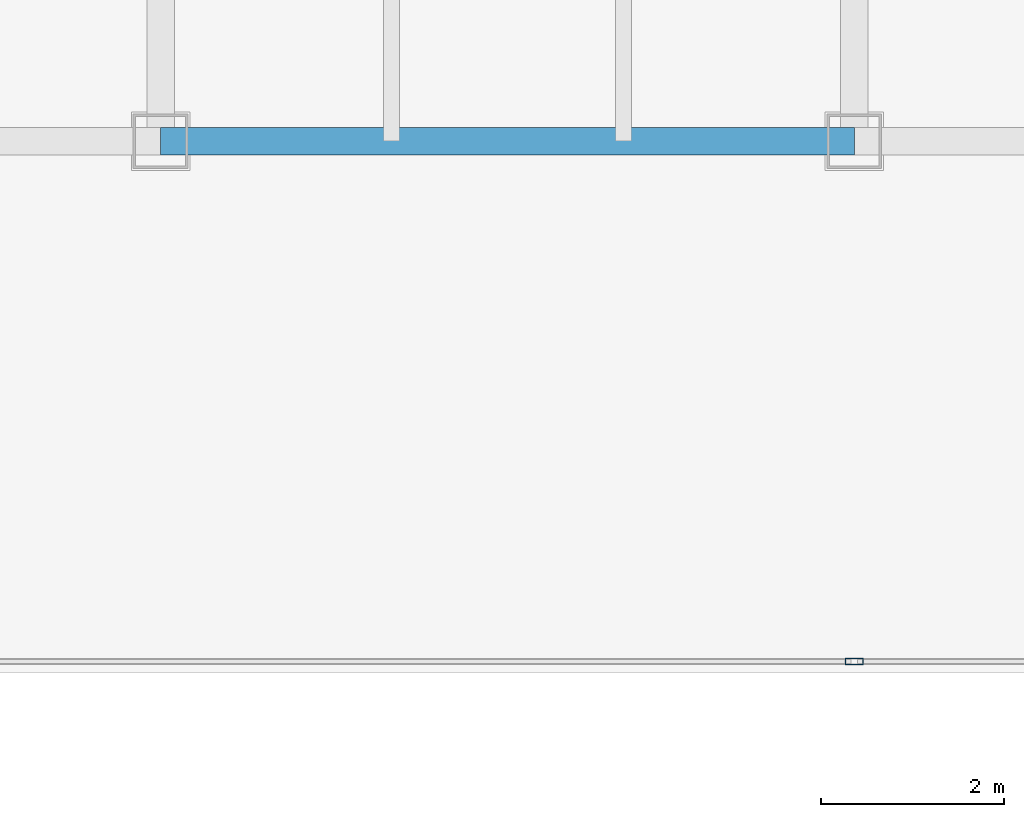
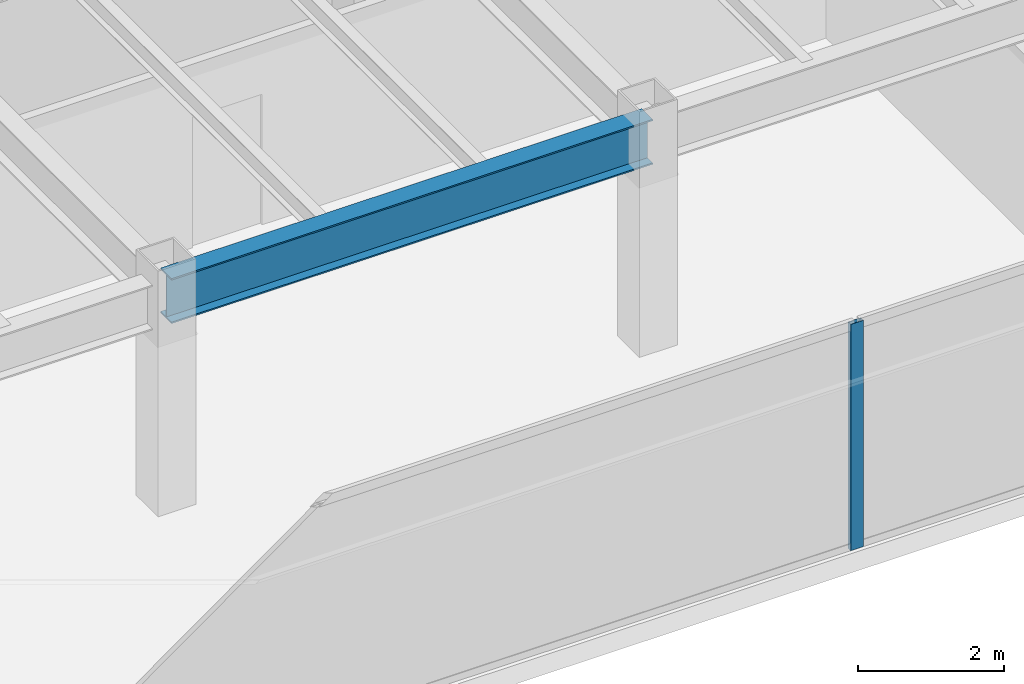
# One storey, part 8 of 36: 1 beam, 1 member, 1 element without a shape of its own.
"""IFC4 building model written with IfcOpenShell, lengths in metres."""

import ifcopenshell
import ifcopenshell.guid

model = None  # the IFC model being written
_history = None  # IfcOwnerHistory: only IFC2X3 demands one
_inside = {}  # id of a spatial element -> (the spatial element, [elements in it])
_under = {}  # id of a project, library or spatial element -> (it, [spatial elements below it])
_declared = {}  # id of a project -> (the project, [libraries it declares])
_typed = {}  # id of a type object -> (the type object, [elements of that type])
_made_of = {}  # id of a material, layer set ... -> (it, [elements and type objects made of it])


def new_model(schema):
    """Start an empty IFC model of exactly this schema.

    Asked for "IFC4X3", IfcOpenShell would pick the latest addendum, in which some entities
    have other attributes; the version numbers below select the first issue.
    IFC2X3 requires an IfcOwnerHistory on every rooted entity: one is made here for all.
    """
    global model, _history
    if schema == "IFC4X3":
        model = ifcopenshell.file(schema_version=(4, 3, 0, 0))
    else:
        model = ifcopenshell.file(schema=schema)
    _inside.clear()
    _under.clear()
    _declared.clear()
    _typed.clear()
    _made_of.clear()
    _history = None
    if model.schema == "IFC2X3":
        org = make("IfcOrganization", Name="unknown")
        user = make(
            "IfcPersonAndOrganization",
            ThePerson=make("IfcPerson", FamilyName="unknown"),
            TheOrganization=org,
        )
        app = make(
            "IfcApplication",
            ApplicationDeveloper=org,
            Version="unknown",
            ApplicationFullName="unknown",
            ApplicationIdentifier="unknown",
        )
        _history = make(
            "IfcOwnerHistory",
            OwningUser=user,
            OwningApplication=app,
            ChangeAction="ADDED",
            CreationDate=0,
        )
    return model


def make(cls, **values):
    """One entity of the class cls with the attributes given. An attribute that is None is left unset."""
    return model.create_entity(
        cls, **{name: value for name, value in values.items() if value is not None}
    )


def rooted(cls, **values):
    """An entity with a GlobalId (a new one), such as an element, a storey or a relation."""
    return make(cls, GlobalId=ifcopenshell.guid.new(), OwnerHistory=_history, **values)


def si_unit(unit_type, name, prefix=None):
    """IfcSIUnit, for example si_unit("LENGTHUNIT", "METRE", prefix="MILLI")."""
    return make("IfcSIUnit", UnitType=unit_type, Prefix=prefix, Name=name)


def assignment(units):
    """IfcUnitAssignment: the units of a project."""
    return None if units is None else make("IfcUnitAssignment", Units=units)


def point(xyz):
    """IfcCartesianPoint."""
    return None if xyz is None else make("IfcCartesianPoint", Coordinates=xyz)


def direction(xyz):
    """IfcDirection."""
    return None if xyz is None else make("IfcDirection", DirectionRatios=xyz)


def frame(location, z_axis=None, x_axis=None):
    """IfcAxis2Placement3D, a coordinate frame: its origin and axes. An axis left out is left unset."""
    return make(
        "IfcAxis2Placement3D",
        Location=point(location),
        Axis=direction(z_axis),
        RefDirection=direction(x_axis),
    )


def frame_2d(location, x_axis=None):
    """IfcAxis2Placement2D, a coordinate frame in the plane: its origin and x axis."""
    return make(
        "IfcAxis2Placement2D", Location=point(location), RefDirection=direction(x_axis)
    )


def origin():
    """The frame at (0, 0, 0) with its axes left unset."""
    return frame((0.0, 0.0, 0.0))


def origin_2d():
    """The frame at (0, 0) in the plane with its x axis left unset."""
    return frame_2d((0.0, 0.0))


def place(relative_to, where):
    """IfcLocalPlacement: puts the frame where relative to a parent placement (None: the world)."""
    return make(
        "IfcLocalPlacement", PlacementRelTo=relative_to, RelativePlacement=where
    )


def context(
    kind, dimensions, precision=None, world=None, true_north=None, identifier=None
):
    """IfcGeometricRepresentationContext, for example the 3D "Model" context."""
    return make(
        "IfcGeometricRepresentationContext",
        ContextIdentifier=identifier,
        ContextType=kind,
        CoordinateSpaceDimension=dimensions,
        Precision=precision,
        WorldCoordinateSystem=world,
        TrueNorth=true_north,
    )


def subcontext(parent, identifier, kind, view, scale=None):
    """IfcGeometricRepresentationSubContext, for example "Body" below "Model"."""
    return make(
        "IfcGeometricRepresentationSubContext",
        ContextIdentifier=identifier,
        ContextType=kind,
        ParentContext=parent,
        TargetScale=scale,
        TargetView=view,
    )


def project(units=None, contexts=None):
    """IfcProject with its units and contexts."""
    return rooted(
        "IfcProject",
        Name="project",
        RepresentationContexts=contexts,
        UnitsInContext=assignment(units),
    )


def spatial(cls, under=None, at=None, **own):
    """A site, building, storey or space (cls), placed at a placement, below another one or the project."""
    s = rooted(cls, ObjectPlacement=at, **own)
    if under is not None:
        _under.setdefault(under.id(), (under, []))[1].append(s)
    return s


def profile(cls, at=None, kind="AREA", **sizes):
    """A parametric profile (cls). Its sizes go by their IFC names, for example OverallWidth=200.0."""
    return make(cls, ProfileType=kind, Position=at, **sizes)


def hollow_rectangle(**sizes):
    """IfcRectangleHollowProfileDef."""
    return profile("IfcRectangleHollowProfileDef", **sizes)


def i_section(**sizes):
    """IfcIShapeProfileDef."""
    return profile("IfcIShapeProfileDef", **sizes)


def extrude(swept, where, along, depth):
    """IfcExtrudedAreaSolid: the profile swept, set in the frame where, extruded along a direction by depth."""
    return make(
        "IfcExtrudedAreaSolid",
        SweptArea=swept,
        Position=where,
        ExtrudedDirection=direction(along),
        Depth=depth,
    )


def shape(context_of_items, identifier, shape_type, items):
    """IfcShapeRepresentation: the items that make up one representation, for example the "Body"."""
    return make(
        "IfcShapeRepresentation",
        ContextOfItems=context_of_items,
        RepresentationIdentifier=identifier,
        RepresentationType=shape_type,
        Items=items,
    )


def source(mapping_origin, context_of_items, identifier, shape_type, items):
    """IfcRepresentationMap: a shape defined once, which mapped items show again and again."""
    return make(
        "IfcRepresentationMap",
        MappingOrigin=mapping_origin,
        MappedRepresentation=shape(context_of_items, identifier, shape_type, items),
    )


def transform(
    local_origin,
    x_axis=None,
    y_axis=None,
    z_axis=None,
    scale=None,
    scale2=None,
    scale3=None,
    uniform=True,
):
    """IfcCartesianTransformationOperator3D, or its non-uniform kind. x_axis, y_axis, z_axis: its Axis1, 2, 3."""
    if uniform:
        return make(
            "IfcCartesianTransformationOperator3D",
            Axis1=direction(x_axis),
            Axis2=direction(y_axis),
            LocalOrigin=point(local_origin),
            Scale=scale,
            Axis3=direction(z_axis),
        )
    return make(
        "IfcCartesianTransformationOperator3DnonUniform",
        Axis1=direction(x_axis),
        Axis2=direction(y_axis),
        LocalOrigin=point(local_origin),
        Scale=scale,
        Axis3=direction(z_axis),
        Scale2=scale2,
        Scale3=scale3,
    )


def mapped(mapping_source, mapping_target):
    """IfcMappedItem: shows the shape of a source again, moved by a transform."""
    return make(
        "IfcMappedItem", MappingSource=mapping_source, MappingTarget=mapping_target
    )


def material(Name=None, Category=None):
    """IfcMaterial."""
    return make("IfcMaterial", Name=Name, Category=Category)


def layer(
    of_material, thickness, ventilated=None, Name=None, Category=None, Priority=None
):
    """IfcMaterialLayer: one layer of a wall or slab, of a material (None: an air gap)."""
    return make(
        "IfcMaterialLayer",
        Material=of_material,
        LayerThickness=thickness,
        IsVentilated=ventilated,
        Name=Name,
        Category=Category,
        Priority=Priority,
    )


def layer_set(layers, Name=None):
    """IfcMaterialLayerSet."""
    return make("IfcMaterialLayerSet", MaterialLayers=layers, LayerSetName=Name)


def material_profile(
    of_material, cross_section, Name=None, Category=None, Priority=None
):
    """IfcMaterialProfile: a cross section and its material."""
    return make(
        "IfcMaterialProfile",
        Name=Name,
        Material=of_material,
        Profile=cross_section,
        Priority=Priority,
        Category=Category,
    )


def profile_set(profiles, Name=None, composite=None):
    """IfcMaterialProfileSet."""
    return make(
        "IfcMaterialProfileSet",
        Name=Name,
        MaterialProfiles=profiles,
        CompositeProfile=composite,
    )


def made_of(thing, what):
    """Note that an element or type object is made of a material, layer set ...; save() writes the relation."""
    if what is not None:
        _made_of.setdefault(what.id(), (what, []))[1].append(thing)
    return thing


def type_object(cls, material=None, **own):
    """A type object (cls), such as IfcWallType, which elements share."""
    return made_of(rooted(cls, **own), material)


def type_shapes(of_type, sources):
    """Give a type object the sources (RepresentationMaps) that its elements show as mapped items."""
    of_type.RepresentationMaps = sources


def element(
    cls,
    number,
    at=None,
    inside=None,
    cuts=None,
    type_object=None,
    material=None,
    context=None,
    identifier="Body",
    shape_type=None,
    held_by="IfcProductDefinitionShape",
    body=None,
    shapes=None,
    **own,
):
    """One element of the class cls, such as IfcWall. Its Tag is "e" and its number.

    at: its placement. inside: the storey or other place that contains it. cuts: it is an
    opening in that element (IfcRelVoidsElement). A single representation is given by context,
    identifier, shape_type and body (its items); several are given by shapes. held_by: the class
    of the entity that holds the representations. save() writes the other relations.
    """
    e = rooted(cls, Tag="e%d" % number, ObjectPlacement=at, **own)
    if body is not None:
        shapes = [shape(context, identifier, shape_type, body)]
    if shapes is not None:
        e.Representation = make(held_by, Representations=shapes)
    if inside is not None:
        _inside.setdefault(inside.id(), (inside, []))[1].append(e)
    if cuts is not None:
        rooted(
            "IfcRelVoidsElement", RelatingBuildingElement=cuts, RelatedOpeningElement=e
        )
    if type_object is not None:
        _typed.setdefault(type_object.id(), (type_object, []))[1].append(e)
    return made_of(e, material)


def aggregate(whole, parts):
    """IfcRelAggregates: a whole, such as a stair, and the parts it consists of."""
    return rooted("IfcRelAggregates", RelatingObject=whole, RelatedObjects=parts)


def save(model, path):
    """Write the relations noted so far, then the file.

    IfcRelAggregates (storeys below a building ...), IfcRelContainedInSpatialStructure (elements
    in a storey), IfcRelDefinesByType, IfcRelAssociatesMaterial and IfcRelDeclares: one each for
    every whole, place, type object, material and project.
    """
    for whole, parts in _under.values():
        aggregate(whole, parts)
    for where, things in _inside.values():
        rooted(
            "IfcRelContainedInSpatialStructure",
            RelatedElements=things,
            RelatingStructure=where,
        )
    for kind, things in _typed.values():
        rooted("IfcRelDefinesByType", RelatedObjects=things, RelatingType=kind)
    for what, things in _made_of.values():
        rooted("IfcRelAssociatesMaterial", RelatedObjects=things, RelatingMaterial=what)
    for by, libraries in _declared.values():
        rooted("IfcRelDeclares", RelatingContext=by, RelatedDefinitions=libraries)
    model.write(path)


model = new_model("IFC4")

# Units and contexts
model_context = context("Model", 3, precision=1e-05, world=origin(), true_north=direction((0.0, 1.0)))
body_context = subcontext(model_context, "Body", "Model", "MODEL_VIEW")
ifc_project = project(units=[si_unit("LENGTHUNIT", "METRE"), si_unit("AREAUNIT", "SQUARE_METRE"), si_unit("VOLUMEUNIT", "CUBIC_METRE"), si_unit("PLANEANGLEUNIT", "RADIAN"), si_unit("MASSUNIT", "GRAM", prefix="KILO")], contexts=[model_context])

# Site, building, storey
site_placement = place(None, origin())
site = spatial("IfcSite", under=ifc_project, at=site_placement, CompositionType="ELEMENT")
building_placement = place(site_placement, origin())
building = spatial("IfcBuilding", under=site, at=building_placement, Name="Haelvirn Gate Laboratories", CompositionType="ELEMENT")
storey_placement = place(building_placement, frame((0.0, 0.0, 53.89990234375)))
storey = spatial("IfcBuildingStorey", under=building, at=storey_placement, Name="L13", CompositionType="ELEMENT", Elevation=53.89990234375)

# Beam
ifc_material_1 = material(Name="Steel SM355", Category="steel")
ifc_material_profile_1 = material_profile(ifc_material_1, i_section(OverallWidth=0.300048828125, OverallDepth=0.75, WebThickness=0.013916015625, FlangeThickness=0.02392578125, at=origin_2d()), Name="H-750x300x14x24")
ifc_profile_set_1 = profile_set([ifc_material_profile_1], Name="Steel SM355")
beam_type = type_object("IfcBeamType", Name="BM-G-750", PredefinedType="BEAM", material=ifc_profile_set_1)
shared_shape_1 = source(origin(), body_context, "Body", "SweptSolid", [
    extrude(i_section(OverallWidth=0.300048828125, OverallDepth=0.75, WebThickness=0.013916015625, FlangeThickness=0.02392578125, at=origin_2d()), origin(), (0.0, 0.0, 1.0), 7.599853515625),
])
type_shapes(beam_type, [shared_shape_1])
beam_placement = place(storey_placement, frame((29.800048828125, 7.0, 3.405029296875), z_axis=(1.0, 0.0, 0.0), x_axis=(0.0, 1.0, 0.0)))
element("IfcBeam", 1, at=beam_placement, inside=storey, type_object=beam_type, Name="L13 Primary Girder Y7.0 (29.8-37.4)", PredefinedType="BEAM", context=body_context, shape_type="MappedRepresentation", body=[
    mapped(shared_shape_1, transform((0.0, 0.0, 0.0), scale=1.0)),
])

# Curtain wall, member
ifc_material_2 = material(Name="Anodised bronze unitised aluminium & triple low-E glass", Category="aluminium")
ifc_layer = layer(ifc_material_2, 0.18408203125, Name="CW-SYS-2")
ifc_layer_set = layer_set([ifc_layer], Name="Anodised bronze unitised aluminium & triple low-E glass")
curtain_wall_type = type_object("IfcCurtainWallType", Name="CW-SYS-2", PredefinedType="NOTDEFINED", material=ifc_layer_set)
curtain_wall_placement = place(storey_placement, origin())
curtain_wall = element("IfcCurtainWall", 2, at=curtain_wall_placement, inside=storey, type_object=curtain_wall_type, Name="L13 Unitised Curtain Wall CW-L13-P0-E02-1", PredefinedType="NOTDEFINED")
ifc_material_3 = material(Name="Extruded aluminium 6063-T6 (anodised bronze)", Category="aluminium")
ifc_material_profile_2 = material_profile(ifc_material_3, hollow_rectangle(XDim=0.074951171875, YDim=0.199951171875, WallThickness=0.0048828125, at=origin_2d()), Name="CWM-200x75x5")
ifc_profile_set_2 = profile_set([ifc_material_profile_2], Name="Extruded aluminium 6063-T6 (anodised bronze)")
member_type = type_object("IfcMemberType", Name="CWM-T200", PredefinedType="MULLION", material=ifc_profile_set_2)
shared_shape_2 = source(origin(), body_context, "Body", "SweptSolid", [
    extrude(hollow_rectangle(XDim=0.074951171875, YDim=0.199951171875, WallThickness=0.0048828125, at=origin_2d()), origin(), (0.0, 0.0, 1.0), 3.780029296875),
])
type_shapes(member_type, [shared_shape_2])
member_placement = place(storey_placement, frame((37.39990234375, 1.300048828125, 0.0), z_axis=(0.0, 0.0, 1.0), x_axis=(0.0, 1.0, 0.0)))
member = element("IfcMember", 3, at=member_placement, type_object=member_type, Name="CW2 mullion 2", PredefinedType="MULLION", context=body_context, shape_type="MappedRepresentation", body=[
    mapped(shared_shape_2, transform((0.0, 0.0, 0.0), scale=1.0)),
])
aggregate(curtain_wall, [member])

save(model, "model.ifc")
